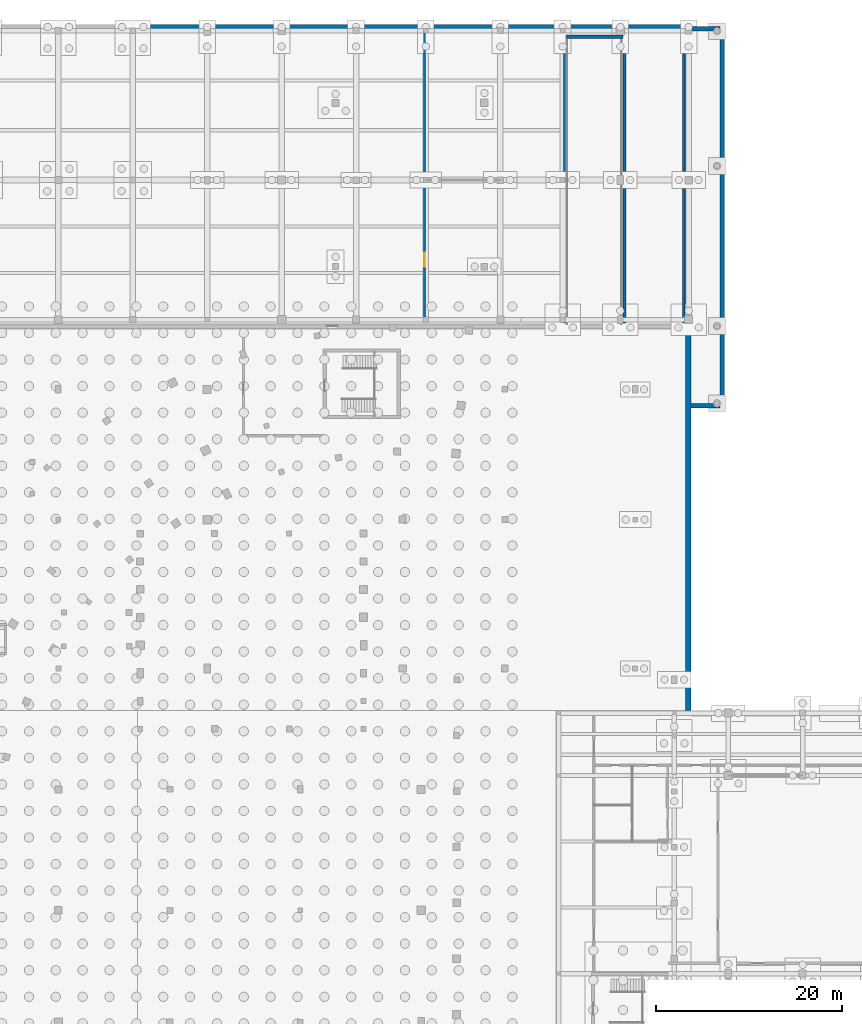
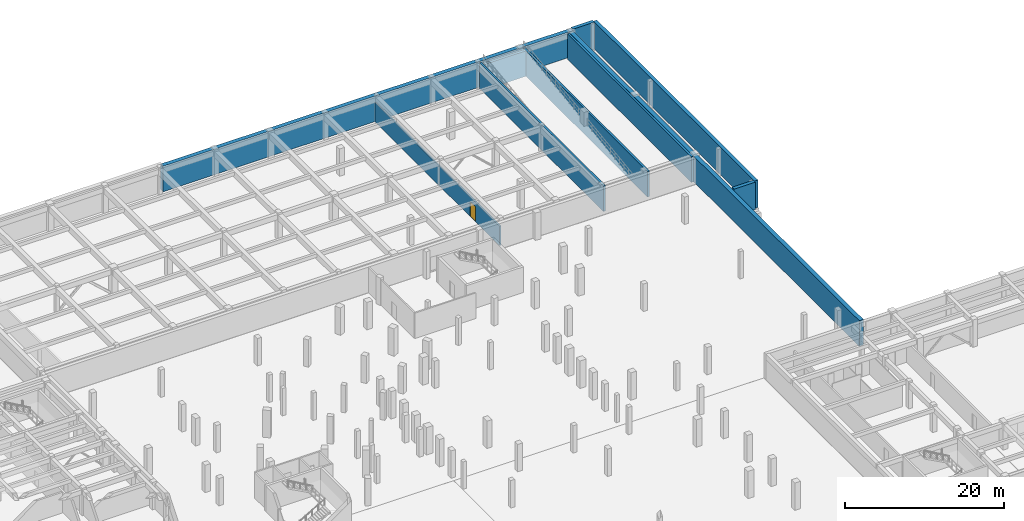
# One storey, part 28 of 36: 10 walls, 1 door, 1 opening.
"""IFC4 building model written with IfcOpenShell, lengths in metres."""

from ifc_helpers import new_model, si_unit, direction, frame, frame_2d, origin, place, context, subcontext, project, spatial, rectangle, extrude, material, layer, layer_set, type_object, element, fill, save


model = new_model("IFC4")

# Units and contexts
model_context = context("Model", 3, precision=1e-05, world=origin(), true_north=direction((0.0, 1.0)))
body_context = subcontext(model_context, "Body", "Model", "MODEL_VIEW")
ifc_project = project(units=[si_unit("LENGTHUNIT", "METRE"), si_unit("AREAUNIT", "SQUARE_METRE"), si_unit("VOLUMEUNIT", "CUBIC_METRE"), si_unit("PLANEANGLEUNIT", "RADIAN"), si_unit("MASSUNIT", "GRAM", prefix="KILO"), si_unit("THERMODYNAMICTEMPERATUREUNIT", "KELVIN"), si_unit("POWERUNIT", "WATT")], contexts=[model_context])

# Site, building, storey
site_placement = place(None, origin())
site = spatial("IfcSite", under=ifc_project, at=site_placement, CompositionType="ELEMENT")
building_placement = place(site_placement, origin())
building = spatial("IfcBuilding", under=site, at=building_placement, Name="Solvatero Civic Police Headquarters", CompositionType="ELEMENT")
storey_placement = place(building_placement, frame((0.0, 0.0, -8.39990234375)))
storey = spatial("IfcBuildingStorey", under=building, at=storey_placement, Name="B02", CompositionType="ELEMENT", Elevation=-8.39990234375)

# Wall, opening, door
ifc_material_1 = material(Name="Concrete Blockwork", Category="masonry")
ifc_layer_1 = layer(ifc_material_1, 0.199951171875)
ifc_layer_set_1 = layer_set([ifc_layer_1], Name="Concrete Blockwork")
wall_type_1 = type_object("IfcWallType", Name="WL-PTN-200", PredefinedType="PARTITIONING", material=ifc_layer_set_1)
wall_1_placement = place(storey_placement, frame((95.35009765625, 85.199951171875, 0.0), z_axis=(0.0, 0.0, 1.0), x_axis=(0.0, 1.0, 0.0)))
wall_1 = element("IfcWall", 1, at=wall_1_placement, inside=storey, type_object=wall_type_1, Name="Interior Partition WLP-B02-WASH-W", PredefinedType="PARTITIONING", context=body_context, shape_type="SweptSolid", body=[
    extrude(rectangle(XDim=31.300048828125, YDim=0.199951171875, at=frame_2d((15.64990234375, 0.0))), origin(), (0.0, 0.0, 1.0), 3.010009765625),
])
opening_placement = place(wall_1_placement, frame((6.0, 0.0, 0.0)))
opening = element("IfcOpeningElement", 2, at=opening_placement, cuts=wall_1, Name="Opening ID-13", PredefinedType="OPENING", context=body_context, shape_type="SweptSolid", body=[
    extrude(rectangle(XDim=1.47998046875, YDim=2.280029296875, at=frame_2d((0.739990234375, 1.14013671875))), frame((0.0, 0.10986328125, 0.0), z_axis=(0.0, -1.0, 0.0), x_axis=(1.0, 0.0, 0.0)), (0.0, 0.0, 1.0), 0.219970703125),
])
ifc_material_2 = material(Name="Powder-Coated Steel", Category="steel")
door_type = type_object("IfcDoorType", Name="DR-DBL-148x228", OperationType="NOTDEFINED", PredefinedType="DOOR", material=ifc_material_2)
door_placement = place(opening_placement, origin())
door = element("IfcDoor", 3, at=door_placement, inside=storey, type_object=door_type, Name="Interior Door DR-B02-WASH", OperationType="DOUBLE_DOOR_SINGLE_SWING", OverallHeight=2.280029296875, OverallWidth=1.47998046875, PredefinedType="DOOR", context=body_context, shape_type="SweptSolid", body=[
    extrude(rectangle(XDim=1.47998046875, YDim=2.280029296875, at=frame_2d((0.739990234375, 1.14013671875))), frame((0.0, 0.02490234375, 0.0), z_axis=(0.0, -1.0, 0.0), x_axis=(1.0, 0.0, 0.0)), (0.0, 0.0, 1.0), 0.050048828125),
])
fill(opening, door)

# Walls
ifc_material_3 = material(Name="Concrete C35/45", Category="concrete")
ifc_layer_2 = layer(ifc_material_3, 0.5)
ifc_layer_set_2 = layer_set([ifc_layer_2], Name="Concrete C35/45")
wall_type_2 = type_object("IfcWallType", Name="WL-RET-500", PredefinedType="USERDEFINED", material=ifc_layer_set_2)
wall_2_placement = place(storey_placement, frame((127.35009765625, 76.25, 0.0), z_axis=(0.0, 0.0, 1.0), x_axis=(0.0, 1.0, 0.0)))
element("IfcWall", 4, at=wall_2_placement, inside=storey, type_object=wall_type_2, Name="B02 Driveway Retaining Skirt E", ObjectType="RETAINING WALL", PredefinedType="USERDEFINED", context=body_context, shape_type="SweptSolid", body=[
    extrude(rectangle(XDim=40.5, YDim=0.5, at=frame_2d((20.25, 0.0))), origin(), (0.0, 0.0, 1.0), 4.199951171875),
])
for number, where, z_axis, x_axis, name in (
    (5, (124.0, 76.25, 0.0), (0.0, 0.0, 1.0), (1.0, 0.0, 0.0), "B02 Driveway Retaining Skirt S"),
    (6, (124.0, 116.75, 0.0), (0.0, 0.0, 1.0), (1.0, 0.0, 0.0), "B02 Driveway Retaining Skirt N"),
):
    element("IfcWall", number, at=place(storey_placement, frame(where, z_axis=z_axis, x_axis=x_axis)), inside=storey, type_object=wall_type_2, Name=name, ObjectType="RETAINING WALL", PredefinedType="USERDEFINED", context=body_context, shape_type="SweptSolid", body=[
        extrude(rectangle(XDim=3.10009765625, YDim=0.5, at=frame_2d((1.550048828125, 0.0))), origin(), (0.0, 0.0, 1.0), 4.199951171875),
    ])
ifc_layer_3 = layer(ifc_material_3, 0.60009765625)
ifc_layer_set_3 = layer_set([ifc_layer_3], Name="Concrete C35/45")
wall_type_3 = type_object("IfcWallType", Name="WL-RET-600", PredefinedType="USERDEFINED", material=ifc_layer_set_3)
wall_3_placement = place(storey_placement, frame((123.699951171875, 43.5, 0.0), z_axis=(0.0, 0.0, 1.0), x_axis=(0.0, 1.0, 0.0)))
element("IfcWall", 7, at=wall_3_placement, inside=storey, type_object=wall_type_3, Name="B02 Watertight Tanked Retaining Wall RW-PERIM-NEE", ObjectType="RETAINING WALL", PredefinedType="USERDEFINED", context=body_context, shape_type="SweptSolid", body=[
    extrude(rectangle(XDim=73.10009765625, YDim=0.60009765625, at=frame_2d((36.550048828125, 0.0))), origin(), (0.0, 0.0, 1.0), 3.919921875),
])
wall_4_placement = place(storey_placement, frame((64.5, 116.89990234375, 0.0), z_axis=(0.0, 0.0, 1.0), x_axis=(1.0, 0.0, 0.0)))
element("IfcWall", 8, at=wall_4_placement, inside=storey, type_object=wall_type_3, Name="B02 Watertight Tanked Retaining Wall RW-PERIM-N2", ObjectType="RETAINING WALL", PredefinedType="USERDEFINED", context=body_context, shape_type="SweptSolid", body=[
    extrude(rectangle(XDim=59.5, YDim=0.60009765625, at=frame_2d((29.75, 0.0))), origin(), (0.0, 0.0, 1.0), 3.919921875),
])
ifc_material_4 = material(Name="Concrete C40/50", Category="concrete")
ifc_layer_4 = layer(ifc_material_4, 0.300048828125)
ifc_layer_set_4 = layer_set([ifc_layer_4], Name="Concrete C40/50")
wall_type_4 = type_object("IfcWallType", Name="WL-SHR-300", PredefinedType="SHEAR", material=ifc_layer_set_4)
for number, where, z_axis, x_axis, name in (
    (9, (110.449951171875, 85.14990234375, 0.0), (0.0, 0.0, 1.0), (0.0, 1.0, 0.0), "B02 Vehicle Ramp Support Wall 1"),
    (10, (116.85009765625, 85.14990234375, 0.0), (0.0, 0.0, 1.0), (0.0, 1.0, 0.0), "B02 Vehicle Ramp Support Wall 2"),
    (11, (123.22998046875, 85.14990234375, 0.0), (0.0, 0.0, 1.0), (0.0, 1.0, 0.0), "B02 Vehicle Ramp Support Wall 3"),
):
    element("IfcWall", number, at=place(storey_placement, frame(where, z_axis=z_axis, x_axis=x_axis)), inside=storey, type_object=wall_type_4, Name=name, PredefinedType="SHEAR", context=body_context, shape_type="SweptSolid", body=[
        extrude(rectangle(XDim=31.2001953125, YDim=0.300048828125, at=frame_2d((15.60009765625, 0.0))), origin(), (0.0, 0.0, 1.0), 3.919921875),
    ])
ifc_layer_5 = layer(ifc_material_4, 0.35009765625)
ifc_layer_set_5 = layer_set([ifc_layer_5], Name="Concrete C40/50")
wall_type_5 = type_object("IfcWallType", Name="WL-SHR-350", PredefinedType="SHEAR", material=ifc_layer_set_5)
wall_5_placement = place(storey_placement, frame((110.60009765625, 115.89990234375, 0.0), z_axis=(0.0, 0.0, 1.0), x_axis=(1.0, 0.0, 0.0)))
element("IfcWall", 12, at=wall_5_placement, inside=storey, type_object=wall_type_5, Name="B02 Ramp VR-01 Top Bearing Wall", PredefinedType="SHEAR", context=body_context, shape_type="SweptSolid", body=[
    extrude(rectangle(XDim=6.099853515625, YDim=0.35009765625, at=frame_2d((3.0498046875, 0.0))), origin(), (0.0, 0.0, 1.0), 3.89990234375),
])

save(model, "model.ifc")
